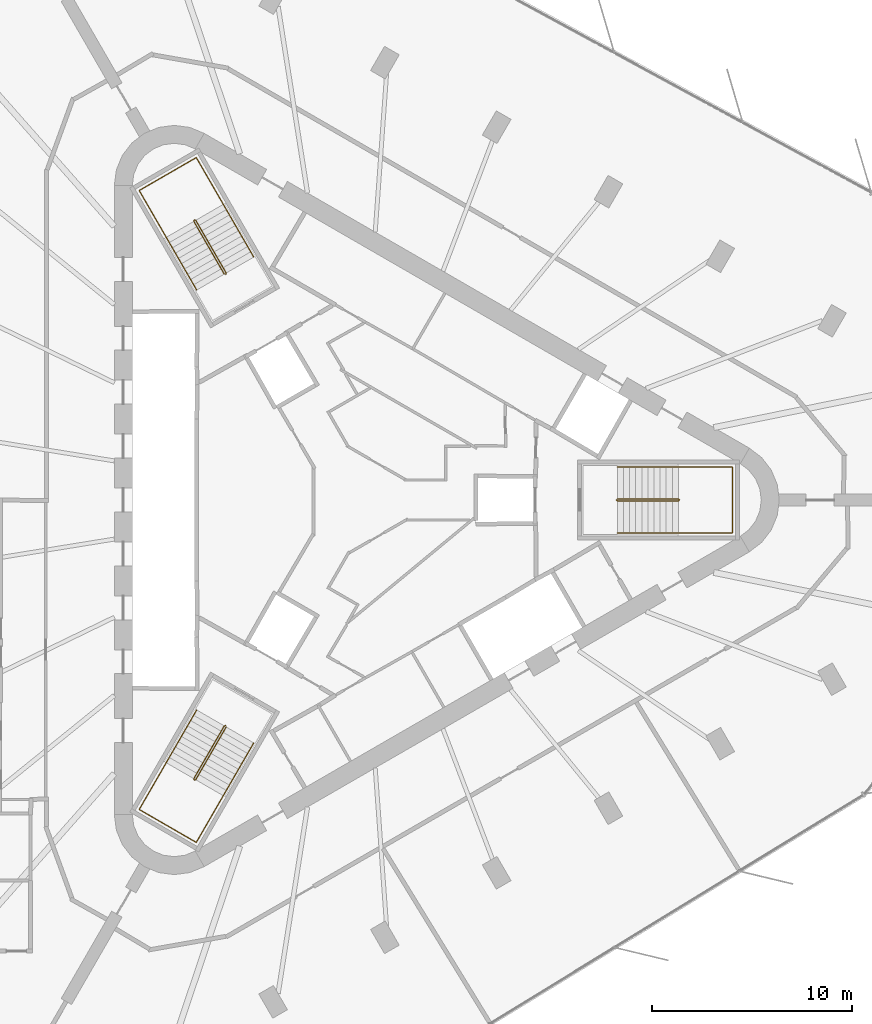
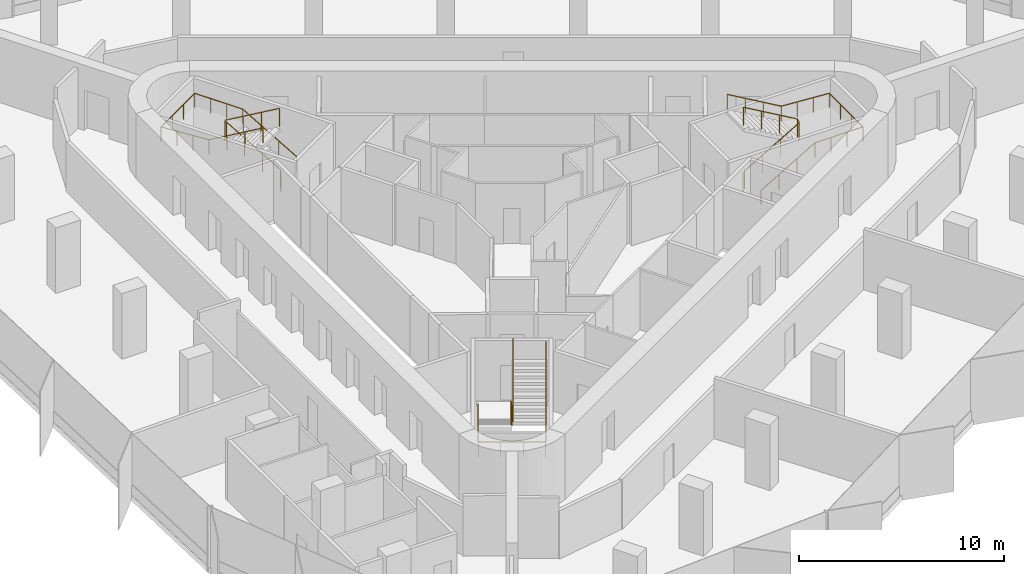
# One storey, part 12 of 12: 6 railings.
"""IFC4 building model written with IfcOpenShell, lengths in metres."""

from ifc_helpers import new_model, si_unit, direction, frame, origin, origin_2d, place, context, subcontext, project, spatial, circle, extrude, material, type_object, element, save


model = new_model("IFC4")

# Units and contexts
model_context = context("Model", 3, precision=1e-05, world=origin(), true_north=direction((0.0, 1.0)))
body_context = subcontext(model_context, "Body", "Model", "MODEL_VIEW")
ifc_project = project(units=[si_unit("LENGTHUNIT", "METRE"), si_unit("AREAUNIT", "SQUARE_METRE"), si_unit("VOLUMEUNIT", "CUBIC_METRE"), si_unit("PLANEANGLEUNIT", "RADIAN"), si_unit("MASSUNIT", "GRAM", prefix="KILO")], contexts=[model_context])

# Site, building, storey
site_placement = place(None, origin())
site = spatial("IfcSite", under=ifc_project, at=site_placement, CompositionType="ELEMENT")
building_placement = place(site_placement, origin())
building = spatial("IfcBuilding", under=site, at=building_placement, Name="Tanit Gate Tower", CompositionType="ELEMENT")
storey_placement = place(building_placement, frame((0.0, 0.0, 345.5)))
storey = spatial("IfcBuildingStorey", under=building, at=storey_placement, Name="L78", CompositionType="ELEMENT", Elevation=345.5)

# Railings
ifc_material_1 = material(Name="Stainless steel balustrade", Category="steel")
railing_type_1 = type_object("IfcRailingType", Name="INT-STAIR-GUARD", PredefinedType="GUARDRAIL", material=ifc_material_1)
railing_1_placement = place(storey_placement, frame((13.044921875, 0.0048828125, 0.0)))
element("IfcRailing", 1, at=railing_1_placement, inside=storey, type_object=railing_type_1, Name="L78 S1 stair guard 1", PredefinedType="GUARDRAIL", context=body_context, shape_type="SweptSolid", body=[
    extrude(circle(Radius=0.02392578125, at=origin_2d()), frame((0.0, 0.0, 1.076171875), z_axis=(0.0, -1.0, 0.0), x_axis=(1.0, 0.0, 0.0)), (0.0, 0.0, 1.0), 0.009765625),
    extrude(circle(Radius=0.02392578125, at=origin_2d()), frame((0.0, -0.009765625, 1.076171875), z_axis=(0.262233686654, -0.262233686654, 0.928691007369), x_axis=(0.707106781187, 0.707106781187, 0.0)), (0.0, 0.0, 1.0), 0.19091796875),
    extrude(circle(Radius=0.02392578125, at=origin_2d()), frame((0.050048828125, -0.059814453125, 1.25341796875), z_axis=(0.864648382064, 0.0, 0.502377522779), x_axis=(0.0, 1.0, 0.0)), (0.0, 0.0, 1.0), 3.528564453125),
    extrude(circle(Radius=0.02392578125, at=origin_2d()), frame((3.10107421875, -0.059814453125, 3.02587890625), z_axis=(0.707106781187, 0.707106781187, 0.0), x_axis=(-0.707106781187, 0.707106781187, 0.0)), (0.0, 0.0, 1.0), 0.07080078125),
    extrude(circle(Radius=0.02392578125, at=origin_2d()), frame((3.151123046875, -0.009765625, 3.02587890625), z_axis=(0.0, 1.0, 0.0), x_axis=(-1.0, 0.0, 0.0)), (0.0, 0.0, 1.0), 0.009765625),
    extrude(circle(Radius=0.02392578125, at=origin_2d()), frame((3.151123046875, 0.0, 3.02587890625), z_axis=(-0.262233686654, 0.262233686654, 0.928691007369), x_axis=(-0.707106781187, -0.707106781187, 0.0)), (0.0, 0.0, 1.0), 0.19091796875),
    extrude(circle(Radius=0.02392578125, at=origin_2d()), frame((3.10107421875, 0.050048828125, 3.203125), z_axis=(-0.864648382064, 0.0, 0.502377522779), x_axis=(0.0, -1.0, 0.0)), (0.0, 0.0, 1.0), 3.528564453125),
    extrude(circle(Radius=0.02099609375, at=origin_2d()), origin(), (0.0, 0.0, 1.0), 1.052001953125),
    extrude(circle(Radius=0.02099609375, at=origin_2d()), frame((0.0, -0.009765625, 0.0)), (0.0, 0.0, 1.0), 1.052001953125),
    extrude(circle(Radius=0.02099609375, at=origin_2d()), frame((0.050048828125, -0.059814453125, 0.17724609375)), (0.0, 0.0, 1.0), 1.052001953125),
    extrude(circle(Radius=0.02099609375, at=origin_2d()), frame((1.067138671875, -0.059814453125, 0.76806640625)), (0.0, 0.0, 1.0), 1.052001953125),
    extrude(circle(Radius=0.02099609375, at=origin_2d()), frame((2.083984375, -0.059814453125, 1.359130859375)), (0.0, 0.0, 1.0), 1.052001953125),
    extrude(circle(Radius=0.02099609375, at=origin_2d()), frame((3.10107421875, -0.059814453125, 1.949951171875)), (0.0, 0.0, 1.0), 1.052001953125),
    extrude(circle(Radius=0.02099609375, at=origin_2d()), frame((3.151123046875, -0.009765625, 1.949951171875)), (0.0, 0.0, 1.0), 1.052001953125),
    extrude(circle(Radius=0.02099609375, at=origin_2d()), frame((3.151123046875, 0.0, 1.949951171875)), (0.0, 0.0, 1.0), 1.052001953125),
    extrude(circle(Radius=0.02099609375, at=origin_2d()), frame((3.10107421875, 0.050048828125, 2.127197265625)), (0.0, 0.0, 1.0), 1.052001953125),
    extrude(circle(Radius=0.02099609375, at=origin_2d()), frame((2.083984375, 0.050048828125, 2.718017578125)), (0.0, 0.0, 1.0), 1.052001953125),
    extrude(circle(Radius=0.02099609375, at=origin_2d()), frame((1.067138671875, 0.050048828125, 3.30908203125)), (0.0, 0.0, 1.0), 1.052001953125),
    extrude(circle(Radius=0.02099609375, at=origin_2d()), frame((0.050048828125, 0.050048828125, 3.89990234375)), (0.0, 0.0, 1.0), 1.052001953125),
])
railing_2_placement = place(storey_placement, frame((-6.527099609375, 11.29345703125, 0.0)))
element("IfcRailing", 2, at=railing_2_placement, inside=storey, type_object=railing_type_1, Name="L78 S2 stair guard 1", PredefinedType="GUARDRAIL", context=body_context, shape_type="SweptSolid", body=[
    extrude(circle(Radius=0.02392578125, at=origin_2d()), frame((0.0, 0.0, 1.076171875), z_axis=(0.868243142124, 0.496138938357, 0.0), x_axis=(-0.496138938357, 0.868243142124, 0.0)), (0.0, 0.0, 1.0), 0.01171875),
    extrude(circle(Radius=0.02392578125, at=origin_2d()), frame((0.01025390625, 0.005859375, 1.076171875), z_axis=(0.095941116058, 0.358180166617, 0.928710003441), x_axis=(-0.965948051503, 0.258736085224, 0.0)), (0.0, 0.0, 1.0), 0.19091796875),
    extrude(circle(Radius=0.02392578125, at=origin_2d()), frame((0.028564453125, 0.07421875, 1.25341796875), z_axis=(-0.4322777601, 0.748681545756, 0.50260509465), x_axis=(-0.866012246495, -0.500022788402, 0.0)), (0.0, 0.0, 1.0), 3.527099609375),
    extrude(circle(Radius=0.02392578125, at=origin_2d()), frame((-1.49609375, 2.71484375, 3.02587890625), z_axis=(-0.965715946433, 0.259601060869, 0.0), x_axis=(-0.259601060869, -0.965715946433, 0.0)), (0.0, 0.0, 1.0), 0.070556640625),
    extrude(circle(Radius=0.02392578125, at=origin_2d()), frame((-1.564208984375, 2.733154296875, 3.02587890625), z_axis=(-0.873197702015, -0.487366159264, 0.0), x_axis=(0.487366159264, -0.873197702015, 0.0)), (0.0, 0.0, 1.0), 0.011962890625),
    extrude(circle(Radius=0.02392578125, at=origin_2d()), frame((-1.57470703125, 2.727294921875, 3.02587890625), z_axis=(-0.095941116058, -0.358180166617, 0.928710003441), x_axis=(0.965948051503, -0.258736085224, 0.0)), (0.0, 0.0, 1.0), 0.19091796875),
    extrude(circle(Radius=0.02392578125, at=origin_2d()), frame((-1.593017578125, 2.658935546875, 3.203125), z_axis=(0.4322777601, -0.748681545756, 0.50260509465), x_axis=(0.866012246495, 0.500022788402, 0.0)), (0.0, 0.0, 1.0), 3.527099609375),
    extrude(circle(Radius=0.02099609375, at=origin_2d()), origin(), (0.0, 0.0, 1.0), 1.052001953125),
    extrude(circle(Radius=0.02099609375, at=origin_2d()), frame((0.01025390625, 0.005859375, 0.0)), (0.0, 0.0, 1.0), 1.052001953125),
    extrude(circle(Radius=0.02099609375, at=origin_2d()), frame((0.028564453125, 0.07421875, 0.17724609375)), (0.0, 0.0, 1.0), 1.052001953125),
    extrude(circle(Radius=0.02099609375, at=origin_2d()), frame((-0.479736328125, 0.954345703125, 0.76806640625)), (0.0, 0.0, 1.0), 1.052001953125),
    extrude(circle(Radius=0.02099609375, at=origin_2d()), frame((-0.98779296875, 1.834716796875, 1.359130859375)), (0.0, 0.0, 1.0), 1.052001953125),
    extrude(circle(Radius=0.02099609375, at=origin_2d()), frame((-1.49609375, 2.71484375, 1.949951171875)), (0.0, 0.0, 1.0), 1.052001953125),
    extrude(circle(Radius=0.02099609375, at=origin_2d()), frame((-1.564208984375, 2.733154296875, 1.949951171875)), (0.0, 0.0, 1.0), 1.052001953125),
    extrude(circle(Radius=0.02099609375, at=origin_2d()), frame((-1.57470703125, 2.727294921875, 1.949951171875)), (0.0, 0.0, 1.0), 1.052001953125),
    extrude(circle(Radius=0.02099609375, at=origin_2d()), frame((-1.593017578125, 2.658935546875, 2.127197265625)), (0.0, 0.0, 1.0), 1.052001953125),
    extrude(circle(Radius=0.02099609375, at=origin_2d()), frame((-1.084716796875, 1.77880859375, 2.718017578125)), (0.0, 0.0, 1.0), 1.052001953125),
    extrude(circle(Radius=0.02099609375, at=origin_2d()), frame((-0.57666015625, 0.8984375, 3.30908203125)), (0.0, 0.0, 1.0), 1.052001953125),
    extrude(circle(Radius=0.02099609375, at=origin_2d()), frame((-0.068359375, 0.018310546875, 3.89990234375)), (0.0, 0.0, 1.0), 1.052001953125),
])
railing_3_placement = place(storey_placement, frame((-6.51806640625, -11.2998046875, 0.0)))
element("IfcRailing", 3, at=railing_3_placement, inside=storey, type_object=railing_type_1, Name="L78 S3 stair guard 1", PredefinedType="GUARDRAIL", context=body_context, shape_type="SweptSolid", body=[
    extrude(circle(Radius=0.02392578125, at=origin_2d()), frame((0.0, 0.0, 1.076171875), z_axis=(-0.874157276122, 0.485642931179, 0.0), x_axis=(-0.485642931179, -0.874157276122, 0.0)), (0.0, 0.0, 1.0), 0.010009765625),
    extrude(circle(Radius=0.02392578125, at=origin_2d()), frame((-0.0087890625, 0.0048828125, 1.076171875), z_axis=(-0.358223840744, -0.094673443625, 0.928823244215), x_axis=(0.255512919477, -0.966805641264, 0.0)), (0.0, 0.0, 1.0), 0.19091796875),
    extrude(circle(Radius=0.02392578125, at=origin_2d()), frame((-0.0771484375, -0.01318359375, 1.25341796875), z_axis=(-0.432289778901, -0.748827189027, 0.502377734411), x_axis=(0.866048339477, -0.499960272111, 0.0)), (0.0, 0.0, 1.0), 3.528564453125),
    extrude(circle(Radius=0.02392578125, at=origin_2d()), frame((-1.6025390625, -2.655517578125, 3.02587890625), z_axis=(0.258736085224, -0.965948051503, 0.0), x_axis=(0.965948051503, 0.258736085224, 0.0)), (0.0, 0.0, 1.0), 0.07080078125),
    extrude(circle(Radius=0.02392578125, at=origin_2d()), frame((-1.584228515625, -2.723876953125, 3.02587890625), z_axis=(0.868243142124, -0.496138938357, 0.0), x_axis=(0.496138938357, 0.868243142124, 0.0)), (0.0, 0.0, 1.0), 0.009765625),
    extrude(circle(Radius=0.02392578125, at=origin_2d()), frame((-1.57568359375, -2.728759765625, 3.02587890625), z_axis=(0.358180166617, 0.095941116058, 0.928710003441), x_axis=(-0.258736085224, 0.965948051503, 0.0)), (0.0, 0.0, 1.0), 0.19091796875),
    extrude(circle(Radius=0.02392578125, at=origin_2d()), frame((-1.50732421875, -2.71044921875, 3.203125), z_axis=(0.432368434633, 0.748774395838, 0.502388734816), x_axis=(-0.865993683553, 0.500054937028, 0.0)), (0.0, 0.0, 1.0), 3.528564453125),
    extrude(circle(Radius=0.02099609375, at=origin_2d()), origin(), (0.0, 0.0, 1.0), 1.052001953125),
    extrude(circle(Radius=0.02099609375, at=origin_2d()), frame((-0.0087890625, 0.0048828125, 0.0)), (0.0, 0.0, 1.0), 1.052001953125),
    extrude(circle(Radius=0.02099609375, at=origin_2d()), frame((-0.0771484375, -0.01318359375, 0.17724609375)), (0.0, 0.0, 1.0), 1.052001953125),
    extrude(circle(Radius=0.02099609375, at=origin_2d()), frame((-0.585693359375, -0.89404296875, 0.76806640625)), (0.0, 0.0, 1.0), 1.052001953125),
    extrude(circle(Radius=0.02099609375, at=origin_2d()), frame((-1.093994140625, -1.774658203125, 1.359130859375)), (0.0, 0.0, 1.0), 1.052001953125),
    extrude(circle(Radius=0.02099609375, at=origin_2d()), frame((-1.6025390625, -2.655517578125, 1.949951171875)), (0.0, 0.0, 1.0), 1.052001953125),
    extrude(circle(Radius=0.02099609375, at=origin_2d()), frame((-1.584228515625, -2.723876953125, 1.949951171875)), (0.0, 0.0, 1.0), 1.052001953125),
    extrude(circle(Radius=0.02099609375, at=origin_2d()), frame((-1.57568359375, -2.728759765625, 1.949951171875)), (0.0, 0.0, 1.0), 1.052001953125),
    extrude(circle(Radius=0.02099609375, at=origin_2d()), frame((-1.50732421875, -2.71044921875, 2.127197265625)), (0.0, 0.0, 1.0), 1.052001953125),
    extrude(circle(Radius=0.02099609375, at=origin_2d()), frame((-0.998779296875, -1.829833984375, 2.718017578125)), (0.0, 0.0, 1.0), 1.052001953125),
    extrude(circle(Radius=0.02099609375, at=origin_2d()), frame((-0.490234375, -0.948974609375, 3.30908203125)), (0.0, 0.0, 1.0), 1.052001953125),
    extrude(circle(Radius=0.02099609375, at=origin_2d()), frame((0.018310546875, -0.068359375, 3.89990234375)), (0.0, 0.0, 1.0), 1.052001953125),
])
ifc_material_2 = material(Name="Stainless steel handrail", Category="steel")
railing_type_2 = type_object("IfcRailingType", Name="INT-STAIR-HANDRAIL", PredefinedType="HANDRAIL", material=ifc_material_2)
railing_4_placement = place(storey_placement, frame((13.094970703125, -1.64990234375, 0.17724609375)))
element("IfcRailing", 4, at=railing_4_placement, inside=storey, type_object=railing_type_2, Name="L78 S1 stair handrail 1", PredefinedType="HANDRAIL", context=body_context, shape_type="SweptSolid", body=[
    extrude(circle(Radius=0.02392578125, at=origin_2d()), frame((0.0, 0.0, 0.8759765625), z_axis=(0.864648382064, 0.0, 0.502377522779), x_axis=(0.0, 1.0, 0.0)), (0.0, 0.0, 1.0), 3.528564453125),
    extrude(circle(Radius=0.02392578125, at=origin_2d()), frame((3.051025390625, 0.0, 2.6484375), z_axis=(1.0, 0.0, 0.0), x_axis=(0.0, 1.0, 0.0)), (0.0, 0.0, 1.0), 2.7041015625),
    extrude(circle(Radius=0.02392578125, at=origin_2d()), frame((5.755126953125, 0.0, 2.6484375), z_axis=(0.0, 1.0, 0.0), x_axis=(-1.0, 0.0, 0.0)), (0.0, 0.0, 1.0), 3.2998046875),
    extrude(circle(Radius=0.02392578125, at=origin_2d()), frame((5.755126953125, 3.2998046875, 2.6484375), z_axis=(-0.997858684482, 0.0, 0.065406771843), x_axis=(0.0, -1.0, 0.0)), (0.0, 0.0, 1.0), 2.7099609375),
    extrude(circle(Radius=0.02392578125, at=origin_2d()), frame((3.051025390625, 3.2998046875, 2.82568359375), z_axis=(-0.864648382064, 0.0, 0.502377522779), x_axis=(0.0, -1.0, 0.0)), (0.0, 0.0, 1.0), 3.528564453125),
    extrude(circle(Radius=0.02099609375, at=origin_2d()), origin(), (0.0, 0.0, 1.0), 0.851806640625),
    extrude(circle(Radius=0.02099609375, at=origin_2d()), frame((1.01708984375, 0.0, 0.5908203125)), (0.0, 0.0, 1.0), 0.851806640625),
    extrude(circle(Radius=0.02099609375, at=origin_2d()), frame((2.033935546875, 0.0, 1.181884765625)), (0.0, 0.0, 1.0), 0.851806640625),
    extrude(circle(Radius=0.02099609375, at=origin_2d()), frame((3.051025390625, 0.0, 1.772705078125)), (0.0, 0.0, 1.0), 0.851806640625),
    extrude(circle(Radius=0.02099609375, at=origin_2d()), frame((3.952392578125, 0.0, 1.772705078125)), (0.0, 0.0, 1.0), 0.851806640625),
    extrude(circle(Radius=0.02099609375, at=origin_2d()), frame((4.853759765625, 0.0, 1.772705078125)), (0.0, 0.0, 1.0), 0.851806640625),
    extrude(circle(Radius=0.02099609375, at=origin_2d()), frame((5.755126953125, 0.0, 1.772705078125)), (0.0, 0.0, 1.0), 0.851806640625),
    extrude(circle(Radius=0.02099609375, at=origin_2d()), frame((5.755126953125, 1.099853515625, 1.772705078125)), (0.0, 0.0, 1.0), 0.851806640625),
    extrude(circle(Radius=0.02099609375, at=origin_2d()), frame((5.755126953125, 2.199951171875, 1.772705078125)), (0.0, 0.0, 1.0), 0.851806640625),
    extrude(circle(Radius=0.02099609375, at=origin_2d()), frame((5.755126953125, 3.2998046875, 1.772705078125)), (0.0, 0.0, 1.0), 0.851806640625),
    extrude(circle(Radius=0.02099609375, at=origin_2d()), frame((4.853759765625, 3.2998046875, 1.831787109375)), (0.0, 0.0, 1.0), 0.851806640625),
    extrude(circle(Radius=0.02099609375, at=origin_2d()), frame((3.952392578125, 3.2998046875, 1.890869140625)), (0.0, 0.0, 1.0), 0.851806640625),
    extrude(circle(Radius=0.02099609375, at=origin_2d()), frame((3.051025390625, 3.2998046875, 1.949951171875)), (0.0, 0.0, 1.0), 0.851806640625),
    extrude(circle(Radius=0.02099609375, at=origin_2d()), frame((2.033935546875, 3.2998046875, 2.540771484375)), (0.0, 0.0, 1.0), 0.851806640625),
    extrude(circle(Radius=0.02099609375, at=origin_2d()), frame((1.01708984375, 3.2998046875, 3.1318359375)), (0.0, 0.0, 1.0), 0.851806640625),
    extrude(circle(Radius=0.02099609375, at=origin_2d()), frame((0.0, 3.2998046875, 3.72265625)), (0.0, 0.0, 1.0), 0.851806640625),
])
railing_5_placement = place(storey_placement, frame((-5.1181640625, 12.164794921875, 0.17724609375)))
element("IfcRailing", 5, at=railing_5_placement, inside=storey, type_object=railing_type_2, Name="L78 S2 stair handrail 1", PredefinedType="HANDRAIL", context=body_context, shape_type="SweptSolid", body=[
    extrude(circle(Radius=0.02392578125, at=origin_2d()), frame((0.0, 0.0, 0.8759765625), z_axis=(-0.432221472453, 0.748703947157, 0.502620133164), x_axis=(-0.866046917185, -0.499962735845, 0.0)), (0.0, 0.0, 1.0), 3.52685546875),
    extrude(circle(Radius=0.02392578125, at=origin_2d()), frame((-1.5244140625, 2.640625, 2.6484375), z_axis=(-0.500019123664, 0.86601436245, 0.0), x_axis=(-0.86601436245, -0.500019123664, 0.0)), (0.0, 0.0, 1.0), 2.70703125),
    extrude(circle(Radius=0.02392578125, at=origin_2d()), frame((-2.8779296875, 4.98486328125, 2.6484375), z_axis=(-0.866008176907, -0.50002983664, 0.0), x_axis=(0.50002983664, -0.866008176907, 0.0)), (0.0, 0.0, 1.0), 3.300048828125),
    extrude(circle(Radius=0.02392578125, at=origin_2d()), frame((-5.73583984375, 3.334716796875, 2.6484375), z_axis=(0.498989459885, -0.864141018102, 0.065343857842), x_axis=(0.865991810323, 0.500058181068, 0.0)), (0.0, 0.0, 1.0), 2.71240234375),
    extrude(circle(Radius=0.02392578125, at=origin_2d()), frame((-4.38232421875, 0.99072265625, 2.82568359375), z_axis=(0.432255358616, -0.748711963836, 0.502579048665), x_axis=(0.866032263162, 0.499988119021, 0.0)), (0.0, 0.0, 1.0), 3.527099609375),
    extrude(circle(Radius=0.02099609375, at=origin_2d()), origin(), (0.0, 0.0, 1.0), 0.851806640625),
    extrude(circle(Radius=0.02099609375, at=origin_2d()), frame((-0.508056640625, 0.880126953125, 0.5908203125)), (0.0, 0.0, 1.0), 0.851806640625),
    extrude(circle(Radius=0.02099609375, at=origin_2d()), frame((-1.016357421875, 1.760498046875, 1.181884765625)), (0.0, 0.0, 1.0), 0.851806640625),
    extrude(circle(Radius=0.02099609375, at=origin_2d()), frame((-1.5244140625, 2.640625, 1.772705078125)), (0.0, 0.0, 1.0), 0.851806640625),
    extrude(circle(Radius=0.02099609375, at=origin_2d()), frame((-1.9755859375, 3.422119140625, 1.772705078125)), (0.0, 0.0, 1.0), 0.851806640625),
    extrude(circle(Radius=0.02099609375, at=origin_2d()), frame((-2.4267578125, 4.203369140625, 1.772705078125)), (0.0, 0.0, 1.0), 0.851806640625),
    extrude(circle(Radius=0.02099609375, at=origin_2d()), frame((-2.8779296875, 4.98486328125, 1.772705078125)), (0.0, 0.0, 1.0), 0.851806640625),
    extrude(circle(Radius=0.02099609375, at=origin_2d()), frame((-3.83056640625, 4.434814453125, 1.772705078125)), (0.0, 0.0, 1.0), 0.851806640625),
    extrude(circle(Radius=0.02099609375, at=origin_2d()), frame((-4.783203125, 3.884765625, 1.772705078125)), (0.0, 0.0, 1.0), 0.851806640625),
    extrude(circle(Radius=0.02099609375, at=origin_2d()), frame((-5.73583984375, 3.334716796875, 1.772705078125)), (0.0, 0.0, 1.0), 0.851806640625),
    extrude(circle(Radius=0.02099609375, at=origin_2d()), frame((-5.28466796875, 2.553466796875, 1.831787109375)), (0.0, 0.0, 1.0), 0.851806640625),
    extrude(circle(Radius=0.02099609375, at=origin_2d()), frame((-4.83349609375, 1.77197265625, 1.890869140625)), (0.0, 0.0, 1.0), 0.851806640625),
    extrude(circle(Radius=0.02099609375, at=origin_2d()), frame((-4.38232421875, 0.99072265625, 1.949951171875)), (0.0, 0.0, 1.0), 0.851806640625),
    extrude(circle(Radius=0.02099609375, at=origin_2d()), frame((-3.8740234375, 0.1103515625, 2.540771484375)), (0.0, 0.0, 1.0), 0.851806640625),
    extrude(circle(Radius=0.02099609375, at=origin_2d()), frame((-3.365966796875, -0.769775390625, 3.1318359375)), (0.0, 0.0, 1.0), 0.851806640625),
    extrude(circle(Radius=0.02099609375, at=origin_2d()), frame((-2.857666015625, -1.650146484375, 3.72265625)), (0.0, 0.0, 1.0), 0.851806640625),
])
railing_6_placement = place(storey_placement, frame((-7.9765625, -10.515625, 0.17724609375)))
element("IfcRailing", 6, at=railing_6_placement, inside=storey, type_object=railing_type_2, Name="L78 S3 stair handrail 1", PredefinedType="HANDRAIL", context=body_context, shape_type="SweptSolid", body=[
    extrude(circle(Radius=0.02392578125, at=origin_2d()), frame((0.0, 0.0, 0.8759765625), z_axis=(-0.432289778901, -0.748827189027, 0.502377734411), x_axis=(0.866048339477, -0.499960272111, 0.0)), (0.0, 0.0, 1.0), 3.528564453125),
    extrude(circle(Radius=0.02392578125, at=origin_2d()), frame((-1.525390625, -2.642333984375, 2.6484375), z_axis=(-0.50004290449, -0.866000631449, 0.0), x_axis=(0.866000631449, -0.50004290449, 0.0)), (0.0, 0.0, 1.0), 2.703857421875),
    extrude(circle(Radius=0.02392578125, at=origin_2d()), frame((-2.87744140625, -4.98388671875, 2.6484375), z_axis=(0.866008176907, -0.50002983664, 0.0), x_axis=(0.50002983664, 0.866008176907, 0.0)), (0.0, 0.0, 1.0), 3.300048828125),
    extrude(circle(Radius=0.02392578125, at=origin_2d()), frame((-0.01953125, -6.634033203125, 2.6484375), z_axis=(0.498933124603, 0.864168748861, 0.065407267689), x_axis=(-0.866023205937, 0.500003806764, 0.0)), (0.0, 0.0, 1.0), 2.7099609375),
    extrude(circle(Radius=0.02392578125, at=origin_2d()), frame((1.33251953125, -4.292236328125, 2.82568359375), z_axis=(0.432289778901, 0.748827189027, 0.502377734411), x_axis=(-0.866048339477, 0.499960272111, 0.0)), (0.0, 0.0, 1.0), 3.528564453125),
    extrude(circle(Radius=0.02099609375, at=origin_2d()), origin(), (0.0, 0.0, 1.0), 0.851806640625),
    extrude(circle(Radius=0.02099609375, at=origin_2d()), frame((-0.508544921875, -0.880859375, 0.5908203125)), (0.0, 0.0, 1.0), 0.851806640625),
    extrude(circle(Radius=0.02099609375, at=origin_2d()), frame((-1.016845703125, -1.761474609375, 1.181884765625)), (0.0, 0.0, 1.0), 0.851806640625),
    extrude(circle(Radius=0.02099609375, at=origin_2d()), frame((-1.525390625, -2.642333984375, 1.772705078125)), (0.0, 0.0, 1.0), 0.851806640625),
    extrude(circle(Radius=0.02099609375, at=origin_2d()), frame((-1.97607421875, -3.4228515625, 1.772705078125)), (0.0, 0.0, 1.0), 0.851806640625),
    extrude(circle(Radius=0.02099609375, at=origin_2d()), frame((-2.4267578125, -4.203369140625, 1.772705078125)), (0.0, 0.0, 1.0), 0.851806640625),
    extrude(circle(Radius=0.02099609375, at=origin_2d()), frame((-2.87744140625, -4.98388671875, 1.772705078125)), (0.0, 0.0, 1.0), 0.851806640625),
    extrude(circle(Radius=0.02099609375, at=origin_2d()), frame((-1.9248046875, -5.533935546875, 1.772705078125)), (0.0, 0.0, 1.0), 0.851806640625),
    extrude(circle(Radius=0.02099609375, at=origin_2d()), frame((-0.97216796875, -6.083984375, 1.772705078125)), (0.0, 0.0, 1.0), 0.851806640625),
    extrude(circle(Radius=0.02099609375, at=origin_2d()), frame((-0.01953125, -6.634033203125, 1.772705078125)), (0.0, 0.0, 1.0), 0.851806640625),
    extrude(circle(Radius=0.02099609375, at=origin_2d()), frame((0.43115234375, -5.853515625, 1.831787109375)), (0.0, 0.0, 1.0), 0.851806640625),
    extrude(circle(Radius=0.02099609375, at=origin_2d()), frame((0.8818359375, -5.07275390625, 1.890869140625)), (0.0, 0.0, 1.0), 0.851806640625),
    extrude(circle(Radius=0.02099609375, at=origin_2d()), frame((1.33251953125, -4.292236328125, 1.949951171875)), (0.0, 0.0, 1.0), 0.851806640625),
    extrude(circle(Radius=0.02099609375, at=origin_2d()), frame((1.841064453125, -3.411376953125, 2.540771484375)), (0.0, 0.0, 1.0), 0.851806640625),
    extrude(circle(Radius=0.02099609375, at=origin_2d()), frame((2.349365234375, -2.53076171875, 3.1318359375)), (0.0, 0.0, 1.0), 0.851806640625),
    extrude(circle(Radius=0.02099609375, at=origin_2d()), frame((2.85791015625, -1.64990234375, 3.72265625)), (0.0, 0.0, 1.0), 0.851806640625),
])

save(model, "model.ifc")
